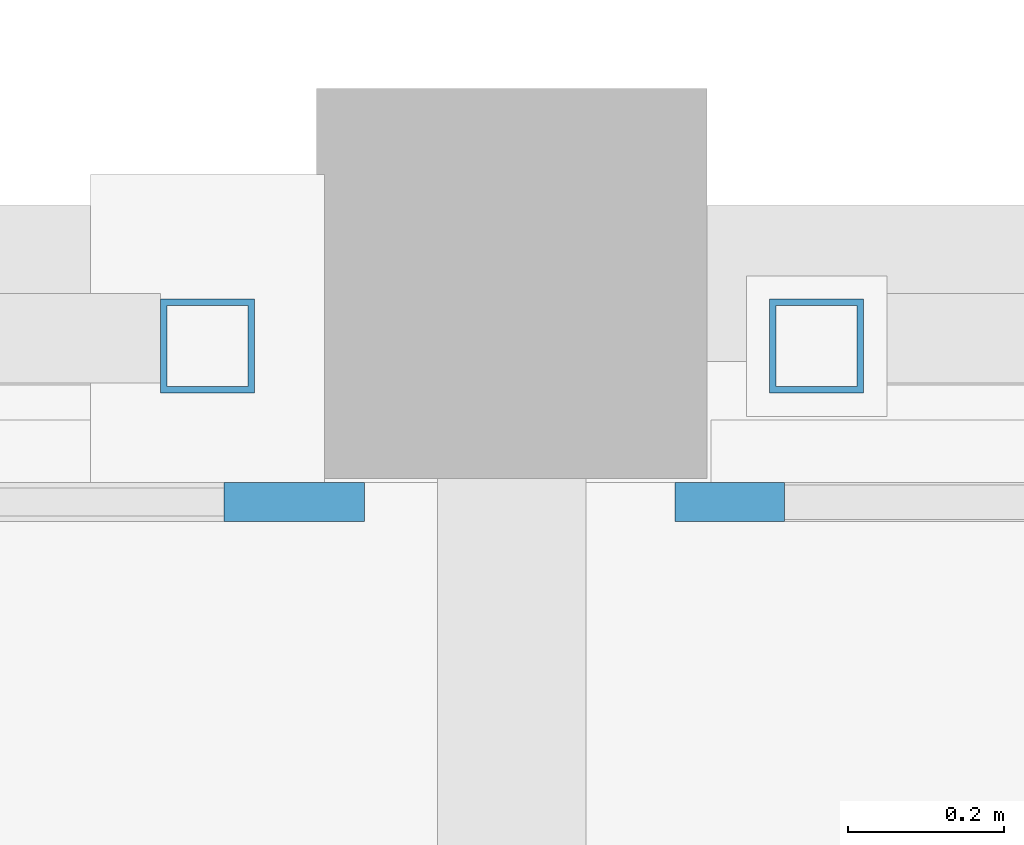
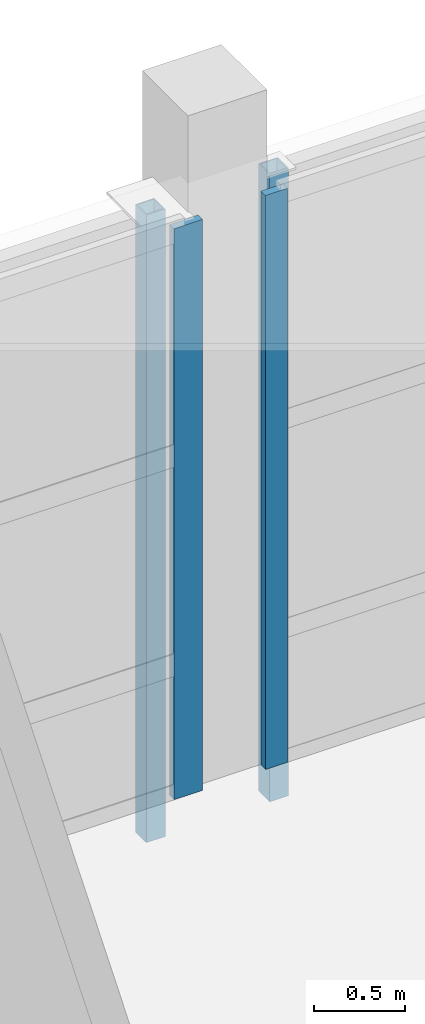
# One storey, part 8 of 89: 4 members, 2 elements without a shape of their own.
"""IFC4 building model written with IfcOpenShell, lengths in metres."""

import ifcopenshell
import ifcopenshell.guid

model = None  # the IFC model being written
_history = None  # IfcOwnerHistory: only IFC2X3 demands one
_inside = {}  # id of a spatial element -> (the spatial element, [elements in it])
_under = {}  # id of a project, library or spatial element -> (it, [spatial elements below it])
_declared = {}  # id of a project -> (the project, [libraries it declares])
_typed = {}  # id of a type object -> (the type object, [elements of that type])
_made_of = {}  # id of a material, layer set ... -> (it, [elements and type objects made of it])


def new_model(schema):
    """Start an empty IFC model of exactly this schema.

    Asked for "IFC4X3", IfcOpenShell would pick the latest addendum, in which some entities
    have other attributes; the version numbers below select the first issue.
    IFC2X3 requires an IfcOwnerHistory on every rooted entity: one is made here for all.
    """
    global model, _history
    if schema == "IFC4X3":
        model = ifcopenshell.file(schema_version=(4, 3, 0, 0))
    else:
        model = ifcopenshell.file(schema=schema)
    _inside.clear()
    _under.clear()
    _declared.clear()
    _typed.clear()
    _made_of.clear()
    _history = None
    if model.schema == "IFC2X3":
        org = make("IfcOrganization", Name="unknown")
        user = make(
            "IfcPersonAndOrganization",
            ThePerson=make("IfcPerson", FamilyName="unknown"),
            TheOrganization=org,
        )
        app = make(
            "IfcApplication",
            ApplicationDeveloper=org,
            Version="unknown",
            ApplicationFullName="unknown",
            ApplicationIdentifier="unknown",
        )
        _history = make(
            "IfcOwnerHistory",
            OwningUser=user,
            OwningApplication=app,
            ChangeAction="ADDED",
            CreationDate=0,
        )
    return model


def make(cls, **values):
    """One entity of the class cls with the attributes given. An attribute that is None is left unset."""
    return model.create_entity(
        cls, **{name: value for name, value in values.items() if value is not None}
    )


def rooted(cls, **values):
    """An entity with a GlobalId (a new one), such as an element, a storey or a relation."""
    return make(cls, GlobalId=ifcopenshell.guid.new(), OwnerHistory=_history, **values)


def si_unit(unit_type, name, prefix=None):
    """IfcSIUnit, for example si_unit("LENGTHUNIT", "METRE", prefix="MILLI")."""
    return make("IfcSIUnit", UnitType=unit_type, Prefix=prefix, Name=name)


def assignment(units):
    """IfcUnitAssignment: the units of a project."""
    return None if units is None else make("IfcUnitAssignment", Units=units)


def point(xyz):
    """IfcCartesianPoint."""
    return None if xyz is None else make("IfcCartesianPoint", Coordinates=xyz)


def direction(xyz):
    """IfcDirection."""
    return None if xyz is None else make("IfcDirection", DirectionRatios=xyz)


def frame(location, z_axis=None, x_axis=None):
    """IfcAxis2Placement3D, a coordinate frame: its origin and axes. An axis left out is left unset."""
    return make(
        "IfcAxis2Placement3D",
        Location=point(location),
        Axis=direction(z_axis),
        RefDirection=direction(x_axis),
    )


def frame_2d(location, x_axis=None):
    """IfcAxis2Placement2D, a coordinate frame in the plane: its origin and x axis."""
    return make(
        "IfcAxis2Placement2D", Location=point(location), RefDirection=direction(x_axis)
    )


def origin():
    """The frame at (0, 0, 0) with its axes left unset."""
    return frame((0.0, 0.0, 0.0))


def origin_2d():
    """The frame at (0, 0) in the plane with its x axis left unset."""
    return frame_2d((0.0, 0.0))


def place(relative_to, where):
    """IfcLocalPlacement: puts the frame where relative to a parent placement (None: the world)."""
    return make(
        "IfcLocalPlacement", PlacementRelTo=relative_to, RelativePlacement=where
    )


def context(
    kind, dimensions, precision=None, world=None, true_north=None, identifier=None
):
    """IfcGeometricRepresentationContext, for example the 3D "Model" context."""
    return make(
        "IfcGeometricRepresentationContext",
        ContextIdentifier=identifier,
        ContextType=kind,
        CoordinateSpaceDimension=dimensions,
        Precision=precision,
        WorldCoordinateSystem=world,
        TrueNorth=true_north,
    )


def subcontext(parent, identifier, kind, view, scale=None):
    """IfcGeometricRepresentationSubContext, for example "Body" below "Model"."""
    return make(
        "IfcGeometricRepresentationSubContext",
        ContextIdentifier=identifier,
        ContextType=kind,
        ParentContext=parent,
        TargetScale=scale,
        TargetView=view,
    )


def project(units=None, contexts=None):
    """IfcProject with its units and contexts."""
    return rooted(
        "IfcProject",
        Name="project",
        RepresentationContexts=contexts,
        UnitsInContext=assignment(units),
    )


def spatial(cls, under=None, at=None, **own):
    """A site, building, storey or space (cls), placed at a placement, below another one or the project."""
    s = rooted(cls, ObjectPlacement=at, **own)
    if under is not None:
        _under.setdefault(under.id(), (under, []))[1].append(s)
    return s


def profile(cls, at=None, kind="AREA", **sizes):
    """A parametric profile (cls). Its sizes go by their IFC names, for example OverallWidth=200.0."""
    return make(cls, ProfileType=kind, Position=at, **sizes)


def rectangle(**sizes):
    """IfcRectangleProfileDef."""
    return profile("IfcRectangleProfileDef", **sizes)


def hollow_rectangle(**sizes):
    """IfcRectangleHollowProfileDef."""
    return profile("IfcRectangleHollowProfileDef", **sizes)


def extrude(swept, where, along, depth):
    """IfcExtrudedAreaSolid: the profile swept, set in the frame where, extruded along a direction by depth."""
    return make(
        "IfcExtrudedAreaSolid",
        SweptArea=swept,
        Position=where,
        ExtrudedDirection=direction(along),
        Depth=depth,
    )


def shape(context_of_items, identifier, shape_type, items):
    """IfcShapeRepresentation: the items that make up one representation, for example the "Body"."""
    return make(
        "IfcShapeRepresentation",
        ContextOfItems=context_of_items,
        RepresentationIdentifier=identifier,
        RepresentationType=shape_type,
        Items=items,
    )


def material(Name=None, Category=None):
    """IfcMaterial."""
    return make("IfcMaterial", Name=Name, Category=Category)


def layer(
    of_material, thickness, ventilated=None, Name=None, Category=None, Priority=None
):
    """IfcMaterialLayer: one layer of a wall or slab, of a material (None: an air gap)."""
    return make(
        "IfcMaterialLayer",
        Material=of_material,
        LayerThickness=thickness,
        IsVentilated=ventilated,
        Name=Name,
        Category=Category,
        Priority=Priority,
    )


def layer_set(layers, Name=None):
    """IfcMaterialLayerSet."""
    return make("IfcMaterialLayerSet", MaterialLayers=layers, LayerSetName=Name)


def material_profile(
    of_material, cross_section, Name=None, Category=None, Priority=None
):
    """IfcMaterialProfile: a cross section and its material."""
    return make(
        "IfcMaterialProfile",
        Name=Name,
        Material=of_material,
        Profile=cross_section,
        Priority=Priority,
        Category=Category,
    )


def profile_set(profiles, Name=None, composite=None):
    """IfcMaterialProfileSet."""
    return make(
        "IfcMaterialProfileSet",
        Name=Name,
        MaterialProfiles=profiles,
        CompositeProfile=composite,
    )


def made_of(thing, what):
    """Note that an element or type object is made of a material, layer set ...; save() writes the relation."""
    if what is not None:
        _made_of.setdefault(what.id(), (what, []))[1].append(thing)
    return thing


def type_object(cls, material=None, **own):
    """A type object (cls), such as IfcWallType, which elements share."""
    return made_of(rooted(cls, **own), material)


def element(
    cls,
    number,
    at=None,
    inside=None,
    cuts=None,
    type_object=None,
    material=None,
    context=None,
    identifier="Body",
    shape_type=None,
    held_by="IfcProductDefinitionShape",
    body=None,
    shapes=None,
    **own,
):
    """One element of the class cls, such as IfcWall. Its Tag is "e" and its number.

    at: its placement. inside: the storey or other place that contains it. cuts: it is an
    opening in that element (IfcRelVoidsElement). A single representation is given by context,
    identifier, shape_type and body (its items); several are given by shapes. held_by: the class
    of the entity that holds the representations. save() writes the other relations.
    """
    e = rooted(cls, Tag="e%d" % number, ObjectPlacement=at, **own)
    if body is not None:
        shapes = [shape(context, identifier, shape_type, body)]
    if shapes is not None:
        e.Representation = make(held_by, Representations=shapes)
    if inside is not None:
        _inside.setdefault(inside.id(), (inside, []))[1].append(e)
    if cuts is not None:
        rooted(
            "IfcRelVoidsElement", RelatingBuildingElement=cuts, RelatedOpeningElement=e
        )
    if type_object is not None:
        _typed.setdefault(type_object.id(), (type_object, []))[1].append(e)
    return made_of(e, material)


def aggregate(whole, parts):
    """IfcRelAggregates: a whole, such as a stair, and the parts it consists of."""
    return rooted("IfcRelAggregates", RelatingObject=whole, RelatedObjects=parts)


def save(model, path):
    """Write the relations noted so far, then the file.

    IfcRelAggregates (storeys below a building ...), IfcRelContainedInSpatialStructure (elements
    in a storey), IfcRelDefinesByType, IfcRelAssociatesMaterial and IfcRelDeclares: one each for
    every whole, place, type object, material and project.
    """
    for whole, parts in _under.values():
        aggregate(whole, parts)
    for where, things in _inside.values():
        rooted(
            "IfcRelContainedInSpatialStructure",
            RelatedElements=things,
            RelatingStructure=where,
        )
    for kind, things in _typed.values():
        rooted("IfcRelDefinesByType", RelatedObjects=things, RelatingType=kind)
    for what, things in _made_of.values():
        rooted("IfcRelAssociatesMaterial", RelatedObjects=things, RelatingMaterial=what)
    for by, libraries in _declared.values():
        rooted("IfcRelDeclares", RelatingContext=by, RelatedDefinitions=libraries)
    model.write(path)


model = new_model("IFC4")

# Units and contexts
model_context = context("Model", 3, precision=1e-05, world=origin(), true_north=direction((0.0, 1.0)))
body_context = subcontext(model_context, "Body", "Model", "MODEL_VIEW")
ifc_project = project(units=[si_unit("LENGTHUNIT", "METRE"), si_unit("AREAUNIT", "SQUARE_METRE"), si_unit("VOLUMEUNIT", "CUBIC_METRE"), si_unit("PLANEANGLEUNIT", "RADIAN"), si_unit("MASSUNIT", "GRAM", prefix="KILO")], contexts=[model_context])

# Site, building, storey
site_placement = place(None, origin())
site = spatial("IfcSite", under=ifc_project, at=site_placement, CompositionType="ELEMENT")
building_placement = place(site_placement, origin())
building = spatial("IfcBuilding", under=site, at=building_placement, Name="Celorna Specialist Clinic", CompositionType="ELEMENT")
storey_placement = place(building_placement, frame((0.0, 0.0, 14.10009765625)))
storey = spatial("IfcBuildingStorey", under=building, at=storey_placement, Name="L03", CompositionType="ELEMENT", Elevation=14.10009765625)

# Members
ifc_material_1 = material(Name="Steel S355", Category="steel")
ifc_material_profile_1 = material_profile(ifc_material_1, hollow_rectangle(XDim=0.1201171875, YDim=0.1201171875, WallThickness=0.008056640625, at=origin_2d()), Name="SHS 120x120x8")
ifc_profile_set_1 = profile_set([ifc_material_profile_1], Name="Steel S355")
member_type_1 = type_object("IfcMemberType", Name="MB-11", PredefinedType="STUD", material=ifc_profile_set_1)
for number, where, z_axis, x_axis, name in (
    (1, (30.81005859375, 27.219970703125, -0.360107421875), (0.0, 0.0, 1.0), (1.0, 0.0, 0.0), "Perforated screen steel post #1819"),
    (2, (31.590087890625, 27.219970703125, -0.360107421875), (0.0, 0.0, 1.0), (1.0, 0.0, 0.0), "Perforated screen steel post #1836"),
):
    element("IfcMember", number, at=place(storey_placement, frame(where, z_axis=z_axis, x_axis=x_axis)), inside=storey, type_object=member_type_1, Name=name, PredefinedType="STUD", context=body_context, shape_type="SweptSolid", body=[
        extrude(hollow_rectangle(XDim=0.1201171875, YDim=0.1201171875, WallThickness=0.008056640625, at=origin_2d()), origin(), (0.0, 0.0, 1.0), 4.199951171875),
    ])

# Curtain wall, member
ifc_material_2 = material(Name="Thermally broken aluminium and solar-control glass curtain wall", Category="aluminium")
ifc_layer_1 = layer(ifc_material_2, 0.159912109375, Name="Thermally broken aluminium and solar-control glass curtain wall")
ifc_layer_set_1 = layer_set([ifc_layer_1], Name="Thermally broken aluminium and solar-control glass curtain wall")
curtain_wall_type_1 = type_object("IfcCurtainWallType", Name="CW-94", PredefinedType="NOTDEFINED", material=ifc_layer_set_1)
curtain_wall_1_placement = place(storey_placement, origin())
curtain_wall_1 = element("IfcCurtainWall", 3, at=curtain_wall_1_placement, inside=storey, type_object=curtain_wall_type_1, Name="Curtain wall CW-94 #173", PredefinedType="NOTDEFINED")
ifc_material_3 = material(Name="Anodized aluminium mullion", Category="aluminium")
ifc_material_profile_2 = material_profile(ifc_material_3, rectangle(XDim=0.050048828125, YDim=0.179931640625, at=origin_2d()), Name="ALU MULLION 50x180")
ifc_profile_set_2 = profile_set([ifc_material_profile_2], Name="Anodized aluminium mullion")
member_type_2 = type_object("IfcMemberType", Name="ML-02", PredefinedType="MULLION", material=ifc_profile_set_2)
member_1_placement = place(storey_placement, frame((30.9208984375, 27.02001953125, 0.0), z_axis=(0.0, 0.0, 1.0), x_axis=(0.0, 1.0, 0.0)))
member_1 = element("IfcMember", 4, at=member_1_placement, type_object=member_type_2, Name="CW-94 mullion 5", PredefinedType="MULLION", context=body_context, shape_type="SweptSolid", body=[
    extrude(rectangle(XDim=0.050048828125, YDim=0.179931640625, at=origin_2d()), origin(), (0.0, 0.0, 1.0), 3.81982421875),
])
aggregate(curtain_wall_1, [member_1])

ifc_layer_2 = layer(ifc_material_2, 0.159912109375, Name="Thermally broken aluminium and solar-control glass curtain wall")
ifc_layer_set_2 = layer_set([ifc_layer_2], Name="Thermally broken aluminium and solar-control glass curtain wall")
curtain_wall_type_2 = type_object("IfcCurtainWallType", Name="CW-97", PredefinedType="NOTDEFINED", material=ifc_layer_set_2)
curtain_wall_2_placement = place(storey_placement, origin())
curtain_wall_2 = element("IfcCurtainWall", 5, at=curtain_wall_2_placement, inside=storey, type_object=curtain_wall_type_2, Name="Curtain wall CW-97 #174", PredefinedType="NOTDEFINED")
ifc_material_profile_3 = material_profile(ifc_material_3, rectangle(XDim=0.050048828125, YDim=0.139892578125, at=origin_2d()), Name="ALU MULLION 50x140")
ifc_profile_set_3 = profile_set([ifc_material_profile_3], Name="Anodized aluminium mullion")
member_type_3 = type_object("IfcMemberType", Name="ML-03", PredefinedType="MULLION", material=ifc_profile_set_3)
member_2_placement = place(storey_placement, frame((31.47900390625, 27.02001953125, 0.0), z_axis=(0.0, 0.0, 1.0), x_axis=(0.0, 1.0, 0.0)))
member_2 = element("IfcMember", 6, at=member_2_placement, type_object=member_type_3, Name="CW-97 mullion 1", PredefinedType="MULLION", context=body_context, shape_type="SweptSolid", body=[
    extrude(rectangle(XDim=0.050048828125, YDim=0.139892578125, at=origin_2d()), origin(), (0.0, 0.0, 1.0), 3.83984375),
])
aggregate(curtain_wall_2, [member_2])

save(model, "model.ifc")
